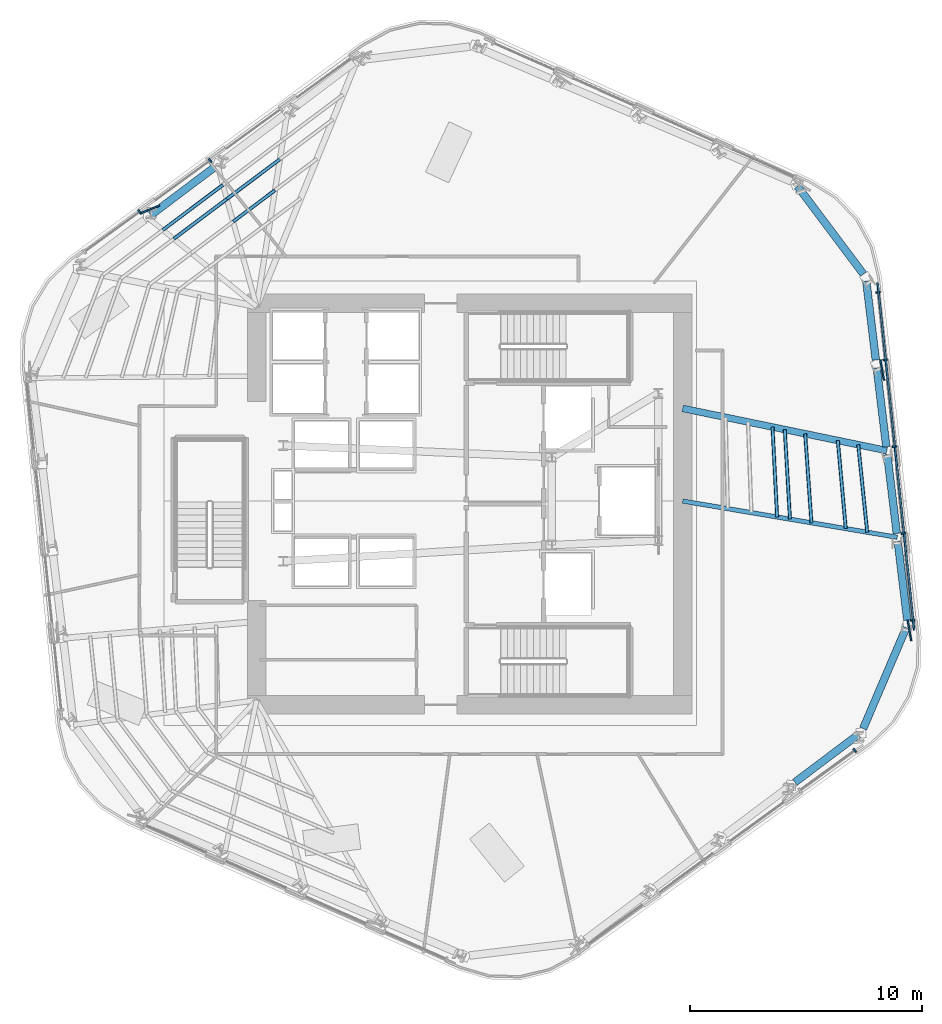
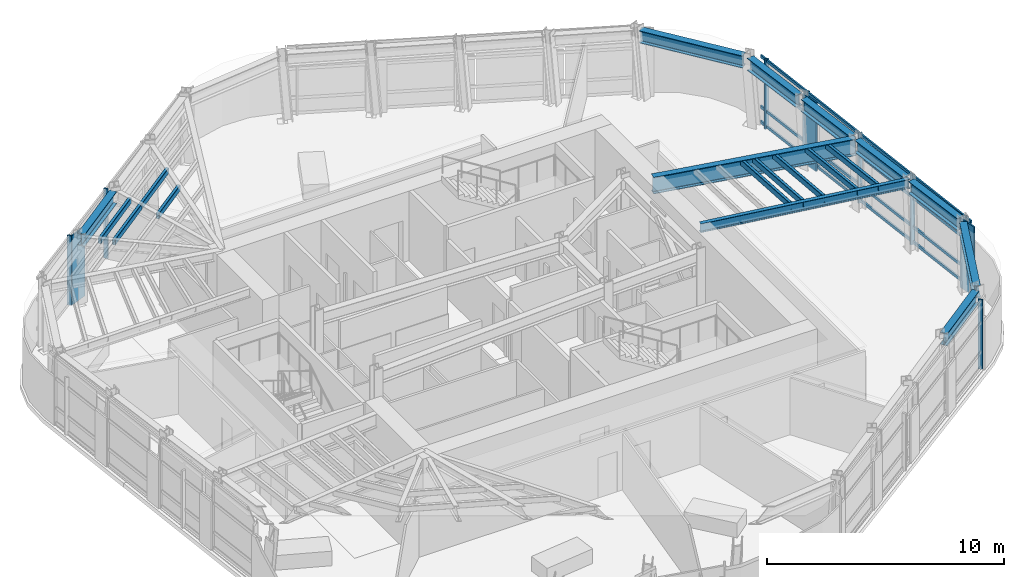
# One storey, part 5 of 14: 24 members, 10 beams, 3 elements without a shape of their own.
"""IFC4 building model written with IfcOpenShell, lengths in metres."""

from ifc_helpers import new_model, si_unit, direction, frame, origin, origin_2d, place, context, subcontext, project, spatial, rectangle, hollow_rectangle, i_section, extrude, material, layer, layer_set, material_profile, profile_set, type_object, element, aggregate, save


model = new_model("IFC4")

# Units and contexts
model_context = context("Model", 3, precision=1e-05, world=origin(), true_north=direction((0.0, 1.0)))
body_context = subcontext(model_context, "Body", "Model", "MODEL_VIEW")
ifc_project = project(units=[si_unit("LENGTHUNIT", "METRE"), si_unit("AREAUNIT", "SQUARE_METRE"), si_unit("VOLUMEUNIT", "CUBIC_METRE"), si_unit("PLANEANGLEUNIT", "RADIAN"), si_unit("MASSUNIT", "GRAM", prefix="KILO")], contexts=[model_context])

# Site, building, storey
site_placement = place(None, origin())
site = spatial("IfcSite", under=ifc_project, at=site_placement, CompositionType="ELEMENT")
building_placement = place(site_placement, origin())
building = spatial("IfcBuilding", under=site, at=building_placement, Name="Valkerne Bourse Tower", CompositionType="ELEMENT")
storey_placement = place(building_placement, frame((0.0, 0.0, 178.0)))
storey = spatial("IfcBuildingStorey", under=building, at=storey_placement, Name="L45", CompositionType="ELEMENT", Elevation=178.0)

# Beams
ifc_material_1 = material(Name="Steel ASTM A992", Category="steel")
ifc_material_profile_1 = material_profile(ifc_material_1, i_section(OverallWidth=0.1904296875, OverallDepth=0.457275390625, WebThickness=0.009033203125, FlangeThickness=0.014404296875, FilletRadius=0.01513671875, at=origin_2d()), Name="W18X50")
ifc_profile_set_1 = profile_set([ifc_material_profile_1], Name="Steel ASTM A992")
beam_type_1 = type_object("IfcBeamType", Name="BM-W18X50", PredefinedType="JOIST", material=ifc_profile_set_1)
beam_1_placement = place(storey_placement, frame((65.264892578125, 25.43603515625, 3.351318359375), z_axis=(-0.986049789724, 0.166450629871, 0.0), x_axis=(-0.166450629871, -0.986049789724, 0.0)))
element("IfcBeam", 1, at=beam_1_placement, inside=storey, type_object=beam_type_1, Name="L45 Radial Composite Floor Beam 26", PredefinedType="JOIST", context=body_context, shape_type="SweptSolid", body=[
    extrude(i_section(OverallWidth=0.1904296875, OverallDepth=0.457275390625, WebThickness=0.009033203125, FlangeThickness=0.014404296875, FilletRadius=0.01513671875, at=origin_2d()), origin(), (0.0, 0.0, 1.0), 9.39599609375),
])
ifc_material_profile_2 = material_profile(ifc_material_1, i_section(OverallWidth=0.32763671875, OverallDepth=0.62744140625, WebThickness=0.0166015625, FlangeThickness=0.027587890625, FilletRadius=0.020263671875, at=origin_2d()), Name="W24X146")
ifc_profile_set_2 = profile_set([ifc_material_profile_2], Name="Steel ASTM A992")
beam_type_2 = type_object("IfcBeamType", Name="BM-W24X146", PredefinedType="SPANDREL", material=ifc_profile_set_2)
beam_2_placement = place(storey_placement, frame((35.7705078125, 41.40673828125, 3.266357421875), z_axis=(-0.799701053501, -0.600398388597, 0.0), x_axis=(0.600398388597, -0.799701053501, 0.0)))
element("IfcBeam", 2, at=beam_2_placement, inside=storey, type_object=beam_type_2, Name="L45 Hexagonal Spandrel Ring Beam 07", PredefinedType="SPANDREL", context=body_context, shape_type="SweptSolid", body=[
    extrude(i_section(OverallWidth=0.32763671875, OverallDepth=0.62744140625, WebThickness=0.0166015625, FlangeThickness=0.027587890625, FilletRadius=0.020263671875, at=origin_2d()), origin(), (0.0, 0.0, 1.0), 3.43115234375),
])
beam_3_placement = place(storey_placement, frame((60.84521484375, 14.857421875, 3.266357421875), z_axis=(0.799675401804, 0.600432553873, 0.0), x_axis=(-0.600432553873, 0.799675401804, 0.0)))
element("IfcBeam", 3, at=beam_3_placement, inside=storey, type_object=beam_type_2, Name="L45 Hexagonal Spandrel Ring Beam 23", PredefinedType="SPANDREL", context=body_context, shape_type="SweptSolid", body=[
    extrude(i_section(OverallWidth=0.32763671875, OverallDepth=0.62744140625, WebThickness=0.0166015625, FlangeThickness=0.027587890625, FilletRadius=0.020263671875, at=origin_2d()), origin(), (0.0, 0.0, 1.0), 3.430908203125),
])
beam_4_placement = place(storey_placement, frame((63.79150390625, 17.17578125, 3.266357421875), z_axis=(0.392314934285, 0.919830958566, 0.0), x_axis=(-0.919830958566, 0.392314934285, 0.0)))
element("IfcBeam", 4, at=beam_4_placement, inside=storey, type_object=beam_type_2, Name="L45 Hexagonal Spandrel Ring Beam 24", PredefinedType="SPANDREL", context=body_context, shape_type="SweptSolid", body=[
    extrude(i_section(OverallWidth=0.32763671875, OverallDepth=0.62744140625, WebThickness=0.0166015625, FlangeThickness=0.027587890625, FilletRadius=0.020263671875, at=origin_2d()), origin(), (0.0, 0.0, 1.0), 4.740234375),
])
beam_5_placement = place(storey_placement, frame((65.697509765625, 21.861083984375, 3.266357421875), z_axis=(-0.120118849374, 0.992759518728, 0.0), x_axis=(-0.992759518728, -0.120118849374, 0.0)))
element("IfcBeam", 5, at=beam_5_placement, inside=storey, type_object=beam_type_2, Name="L45 Hexagonal Spandrel Ring Beam 25", PredefinedType="SPANDREL", context=body_context, shape_type="SweptSolid", body=[
    extrude(i_section(OverallWidth=0.32763671875, OverallDepth=0.62744140625, WebThickness=0.0166015625, FlangeThickness=0.027587890625, FilletRadius=0.020263671875, at=origin_2d()), origin(), (0.0, 0.0, 1.0), 3.430908203125),
])
for number, where, z_axis, x_axis, name in (
    (6, (65.244384765625, 25.604736328125, 3.266357421875), (-0.120110364146, 0.992760545361, 0.0), (-0.992760545361, -0.120110364146, 0.0), "L45 Hexagonal Spandrel Ring Beam 26"),
    (7, (64.79150390625, 29.348388671875, 3.266357421875), (-0.120180492152, 0.992752058324, 0.0), (-0.992752058324, -0.120180492152, 0.0), "L45 Hexagonal Spandrel Ring Beam 27"),
):
    element("IfcBeam", number, at=place(storey_placement, frame(where, z_axis=z_axis, x_axis=x_axis)), inside=storey, type_object=beam_type_2, Name=name, PredefinedType="SPANDREL", context=body_context, shape_type="SweptSolid", body=[
        extrude(i_section(OverallWidth=0.32763671875, OverallDepth=0.62744140625, WebThickness=0.0166015625, FlangeThickness=0.027587890625, FilletRadius=0.020263671875, at=origin_2d()), origin(), (0.0, 0.0, 1.0), 3.43115234375),
    ])
beam_6_placement = place(storey_placement, frame((64.33837890625, 33.09228515625, 3.266357421875), z_axis=(-0.120118849374, 0.992759518728, 0.0), x_axis=(-0.992759518728, -0.120118849374, 0.0)))
element("IfcBeam", 8, at=beam_6_placement, inside=storey, type_object=beam_type_2, Name="L45 Hexagonal Spandrel Ring Beam 28", PredefinedType="SPANDREL", context=body_context, shape_type="SweptSolid", body=[
    extrude(i_section(OverallWidth=0.32763671875, OverallDepth=0.62744140625, WebThickness=0.0166015625, FlangeThickness=0.027587890625, FilletRadius=0.020263671875, at=origin_2d()), origin(), (0.0, 0.0, 1.0), 3.430908203125),
])
beam_7_placement = place(storey_placement, frame((63.8037109375, 36.802978515625, 3.266357421875), z_axis=(-0.600411972894, 0.799690854521, 0.0), x_axis=(-0.799690854521, -0.600411972894, 0.0)))
element("IfcBeam", 9, at=beam_7_placement, inside=storey, type_object=beam_type_2, Name="L45 Hexagonal Spandrel Ring Beam 29", PredefinedType="SPANDREL", context=body_context, shape_type="SweptSolid", body=[
    extrude(i_section(OverallWidth=0.32763671875, OverallDepth=0.62744140625, WebThickness=0.0166015625, FlangeThickness=0.027587890625, FilletRadius=0.020263671875, at=origin_2d()), origin(), (0.0, 0.0, 1.0), 4.739990234375),
])
ifc_material_profile_3 = material_profile(ifc_material_1, i_section(OverallWidth=0.2919921875, OverallDepth=0.8583984375, WebThickness=0.01708984375, FlangeThickness=0.031005859375, FilletRadius=0.025390625, at=origin_2d()), Name="W33X169")
ifc_profile_set_3 = profile_set([ifc_material_profile_3], Name="Steel ASTM A992")
beam_type_3 = type_object("IfcBeamType", Name="BM-W33X169", PredefinedType="BEAM", material=ifc_profile_set_3)
beam_8_placement = place(storey_placement, frame((64.811767578125, 29.1796875, 3.15087890625), z_axis=(-0.979322374958, 0.202305921583, 0.0), x_axis=(-0.202305921583, -0.979322374958, 0.0)))
element("IfcBeam", 10, at=beam_8_placement, inside=storey, type_object=beam_type_3, Name="L45 Radial Composite Floor Beam 27", PredefinedType="BEAM", context=body_context, shape_type="SweptSolid", body=[
    extrude(i_section(OverallWidth=0.2919921875, OverallDepth=0.8583984375, WebThickness=0.01708984375, FlangeThickness=0.031005859375, FilletRadius=0.025390625, at=origin_2d()), origin(), (0.0, 0.0, 1.0), 8.997802734375),
])

# Curtain wall, members
ifc_material_2 = material(Name="Aluminium AA 6063-T6", Category="aluminium")
ifc_layer = layer(ifc_material_2, 0.235107421875)
ifc_layer_set = layer_set([ifc_layer], Name="Aluminium AA 6063-T6")
curtain_wall_type = type_object("IfcCurtainWallType", Name="CW-03", PredefinedType="NOTDEFINED", material=ifc_layer_set)
curtain_wall_1_placement = place(storey_placement, origin())
curtain_wall_1 = element("IfcCurtainWall", 11, at=curtain_wall_1_placement, inside=storey, type_object=curtain_wall_type, Name="L45 Hexagonal Stick Curtain Wall Face 2", PredefinedType="NOTDEFINED")
ifc_material_profile_4 = material_profile(ifc_material_2, rectangle(XDim=0.074951171875, YDim=0.199951171875, at=origin_2d()), Name="CWM-75X200")
ifc_profile_set_4 = profile_set([ifc_material_profile_4], Name="Aluminium AA 6063-T6")
member_type_1 = type_object("IfcMemberType", Name="CW-MUL-220X75", PredefinedType="MULLION", material=ifc_profile_set_4)
member_1_placement = place(storey_placement, frame((35.59619140625, 41.706298828125, 0.0), z_axis=(0.0, 0.0, 1.0), x_axis=(-0.809008916878, -0.587796369853, 0.0)))
member_1 = element("IfcMember", 12, at=member_1_placement, type_object=member_type_1, Name="CW-L45-F2 Jamb Mullion 02A", PredefinedType="MULLION", context=body_context, shape_type="SweptSolid", body=[
    extrude(rectangle(XDim=0.074951171875, YDim=0.199951171875, at=origin_2d()), origin(), (0.0, 0.0, 1.0), 3.580078125),
])
member_2_placement = place(storey_placement, frame((32.54541015625, 39.48974609375, 0.0), z_axis=(0.0, 0.0, 1.0), x_axis=(-0.809021527022, -0.587779013589, 0.0)))
member_2 = element("IfcMember", 13, at=member_2_placement, type_object=member_type_1, Name="CW-L45-F2 Jamb Mullion 03A", PredefinedType="MULLION", context=body_context, shape_type="SweptSolid", body=[
    extrude(rectangle(XDim=0.074951171875, YDim=0.199951171875, at=origin_2d()), origin(), (0.0, 0.0, 1.0), 3.580078125),
])
aggregate(curtain_wall_1, [member_1, member_2])

# Curtain wall, member
curtain_wall_2_placement = place(storey_placement, origin())
curtain_wall_2 = element("IfcCurtainWall", 14, at=curtain_wall_2_placement, inside=storey, type_object=curtain_wall_type, Name="L45 Hexagonal Stick Curtain Wall Face 5", PredefinedType="NOTDEFINED")
member_3_placement = place(storey_placement, frame((63.426025390625, 16.23291015625, 0.0), z_axis=(0.0, 0.0, 1.0), x_axis=(0.809021527022, 0.587779013589, 0.0)))
member_3 = element("IfcMember", 15, at=member_3_placement, type_object=member_type_1, Name="CW-L45-F5 Jamb Mullion 03B", PredefinedType="MULLION", context=body_context, shape_type="SweptSolid", body=[
    extrude(rectangle(XDim=0.074951171875, YDim=0.199951171875, at=origin_2d()), origin(), (0.0, 0.0, 1.0), 3.580078125),
])
aggregate(curtain_wall_2, [member_3])

# Curtain wall, members
curtain_wall_3_placement = place(storey_placement, origin())
curtain_wall_3 = element("IfcCurtainWall", 16, at=curtain_wall_3_placement, inside=storey, type_object=curtain_wall_type, Name="L45 Hexagonal Stick Curtain Wall Face 6", PredefinedType="NOTDEFINED")
member_4_placement = place(storey_placement, frame((65.926513671875, 21.84912109375, 0.0), z_axis=(0.0, 0.0, 1.0), x_axis=(-0.104535698832, 0.994521134853, 0.0)))
member_4 = element("IfcMember", 17, at=member_4_placement, type_object=member_type_1, Name="CW-L45-F6 Jamb Mullion 00A", PredefinedType="MULLION", context=body_context, shape_type="SweptSolid", body=[
    extrude(rectangle(XDim=0.074951171875, YDim=0.199951171875, at=origin_2d()), origin(), (0.0, 0.0, 1.0), 3.580078125),
])
member_5_placement = place(storey_placement, frame((65.5322265625, 25.599365234375, 0.0), z_axis=(0.0, 0.0, 1.0), x_axis=(-0.104532941982, 0.994521424626, 0.0)))
member_5 = element("IfcMember", 18, at=member_5_placement, type_object=member_type_1, Name="CW-L45-F6 Jamb Mullion 01A", PredefinedType="MULLION", context=body_context, shape_type="SweptSolid", body=[
    extrude(rectangle(XDim=0.074951171875, YDim=0.199951171875, at=origin_2d()), origin(), (0.0, 0.0, 1.0), 3.580078125),
])
member_6_placement = place(storey_placement, frame((65.137939453125, 29.349609375, 0.0), z_axis=(0.0, 0.0, 1.0), x_axis=(-0.104509470074, 0.99452389145, 0.0)))
member_6 = element("IfcMember", 19, at=member_6_placement, type_object=member_type_1, Name="CW-L45-F6 Jamb Mullion 02A", PredefinedType="MULLION", context=body_context, shape_type="SweptSolid", body=[
    extrude(rectangle(XDim=0.074951171875, YDim=0.199951171875, at=origin_2d()), origin(), (0.0, 0.0, 1.0), 3.580078125),
])
member_7_placement = place(storey_placement, frame((64.743896484375, 33.10009765625, 0.0), z_axis=(0.0, 0.0, 1.0), x_axis=(-0.104532941982, 0.994521424626, 0.0)))
member_7 = element("IfcMember", 20, at=member_7_placement, type_object=member_type_1, Name="CW-L45-F6 Jamb Mullion 03A", PredefinedType="MULLION", context=body_context, shape_type="SweptSolid", body=[
    extrude(rectangle(XDim=0.074951171875, YDim=0.199951171875, at=origin_2d()), origin(), (0.0, 0.0, 1.0), 3.580078125),
])
member_8_placement = place(storey_placement, frame((64.4375, 36.014892578125, 0.0), z_axis=(0.0, 0.0, 1.0), x_axis=(-0.104532941982, 0.994521424626, 0.0)))
member_8 = element("IfcMember", 21, at=member_8_placement, type_object=member_type_1, Name="CW-L45-F6 Jamb Mullion 03B", PredefinedType="MULLION", context=body_context, shape_type="SweptSolid", body=[
    extrude(rectangle(XDim=0.074951171875, YDim=0.199951171875, at=origin_2d()), origin(), (0.0, 0.0, 1.0), 3.580078125),
])
ifc_material_profile_5 = material_profile(ifc_material_2, rectangle(XDim=0.074951171875, YDim=0.14990234375, at=origin_2d()), Name="CWT-75X150")
ifc_profile_set_5 = profile_set([ifc_material_profile_5], Name="Aluminium AA 6063-T6")
member_type_2 = type_object("IfcMemberType", Name="CW-TRN-180X65", PredefinedType="USERDEFINED", material=ifc_profile_set_5)
member_9_placement = place(storey_placement, frame((65.990234375, 21.433349609375, 0.1201171875), z_axis=(-0.104524703838, 0.994522290493, 0.0), x_axis=(-0.994522290493, -0.104524703838, 0.0)))
member_9 = element("IfcMember", 22, at=member_9_placement, type_object=member_type_2, Name="CW-L45-F6 Continuous Face Transom 1", ObjectType="TRANSOM", PredefinedType="USERDEFINED", context=body_context, shape_type="SweptSolid", body=[
    extrude(rectangle(XDim=0.074951171875, YDim=0.14990234375, at=origin_2d()), origin(), (0.0, 0.0, 1.0), 15.083984375),
])
member_10_placement = place(storey_placement, frame((65.990234375, 21.433349609375, 0.89990234375), z_axis=(-0.104524703838, 0.994522290493, 0.0), x_axis=(-0.994522290493, -0.104524703838, 0.0)))
member_10 = element("IfcMember", 23, at=member_10_placement, type_object=member_type_2, Name="CW-L45-F6 Continuous Face Transom 2", ObjectType="TRANSOM", PredefinedType="USERDEFINED", context=body_context, shape_type="SweptSolid", body=[
    extrude(rectangle(XDim=0.074951171875, YDim=0.14990234375, at=origin_2d()), origin(), (0.0, 0.0, 1.0), 15.083984375),
])
member_11_placement = place(storey_placement, frame((65.990234375, 21.433349609375, 2.39990234375), z_axis=(-0.104524703838, 0.994522290493, 0.0), x_axis=(-0.994522290493, -0.104524703838, 0.0)))
member_11 = element("IfcMember", 24, at=member_11_placement, type_object=member_type_2, Name="CW-L45-F6 Continuous Face Transom 3", ObjectType="TRANSOM", PredefinedType="USERDEFINED", context=body_context, shape_type="SweptSolid", body=[
    extrude(rectangle(XDim=0.074951171875, YDim=0.14990234375, at=origin_2d()), origin(), (0.0, 0.0, 1.0), 15.083984375),
])
member_12_placement = place(storey_placement, frame((65.990234375, 21.433349609375, 3.5), z_axis=(-0.104524703838, 0.994522290493, 0.0), x_axis=(-0.994522290493, -0.104524703838, 0.0)))
member_12 = element("IfcMember", 25, at=member_12_placement, type_object=member_type_2, Name="CW-L45-F6 Continuous Face Transom 4", ObjectType="TRANSOM", PredefinedType="USERDEFINED", context=body_context, shape_type="SweptSolid", body=[
    extrude(rectangle(XDim=0.074951171875, YDim=0.14990234375, at=origin_2d()), origin(), (0.0, 0.0, 1.0), 15.083984375),
])
aggregate(curtain_wall_3, [member_9, member_10, member_11, member_12, member_4, member_5, member_6, member_7, member_8])

# Members
ifc_material_3 = material(Name="Bronze Anodised Aluminium AA 6063-T6", Category="aluminium")
ifc_material_profile_6 = material_profile(ifc_material_3, rectangle(XDim=0.070068359375, YDim=0.89990234375, at=origin_2d()), Name="FIN-70X900")
ifc_profile_set_6 = profile_set([ifc_material_profile_6], Name="Bronze Anodised Aluminium AA 6063-T6")
member_type_3 = type_object("IfcMemberType", Name="FIN-SOLAR-900", PredefinedType="USERDEFINED", material=ifc_profile_set_6)
for number, where, z_axis, x_axis, name in (
    (26, (32.990966796875, 39.591064453125, 0.00390625), (0.0, 0.0, 1.0), (-0.380850169882, 0.924636765493, 0.0), "L45 Bronze Anodised Solar Fin F2-03"),
    (27, (65.791259765625, 21.41259765625, 0.00390625), (0.0, 0.0, 1.0), (0.984878789534, 0.173244826548, 0.0), "L45 Bronze Anodised Solar Fin F6-00"),
    (28, (64.60888671875, 32.66357421875, 0.00390625), (0.0, 0.0, 1.0), (0.984879157264, 0.173242736027, 0.0), "L45 Bronze Anodised Solar Fin F6-03"),
):
    element("IfcMember", number, at=place(storey_placement, frame(where, z_axis=z_axis, x_axis=x_axis)), inside=storey, type_object=member_type_3, Name=name, ObjectType="SOLAR_FIN", PredefinedType="USERDEFINED", context=body_context, shape_type="SweptSolid", body=[
        extrude(rectangle(XDim=0.070068359375, YDim=0.89990234375, at=origin_2d()), origin(), (0.0, 0.0, 1.0), 3.572021484375),
    ])
ifc_material_4 = material(Name="Steel ASTM A500 Grade C", Category="steel")
ifc_material_profile_7 = material_profile(ifc_material_4, hollow_rectangle(XDim=0.14990234375, YDim=0.300048828125, WallThickness=0.012451171875, OuterFilletRadius=0.02490234375, at=origin_2d()), Name="HSS300X150X12.5")
ifc_profile_set_7 = profile_set([ifc_material_profile_7], Name="Steel ASTM A500 Grade C")
member_type_4 = type_object("IfcMemberType", Name="MBR-HSS300X150X12.5", PredefinedType="PURLIN", material=ifc_profile_set_7)
member_13_placement = place(storey_placement, frame((60.07666015625, 26.311767578125, 3.419921875), z_axis=(-0.051242019614, 0.998686264763, 0.0), x_axis=(-0.998686264763, -0.051242019614, 0.0)))
element("IfcMember", 29, at=member_13_placement, inside=storey, type_object=member_type_4, Name="L45 Secondary Composite Floor Purlin K-26", PredefinedType="PURLIN", context=body_context, shape_type="SweptSolid", body=[
    extrude(hollow_rectangle(XDim=0.14990234375, YDim=0.300048828125, WallThickness=0.012451171875, OuterFilletRadius=0.02490234375, at=origin_2d()), origin(), (0.0, 0.0, 1.0), 3.892578125),
])
member_14_placement = place(storey_placement, frame((60.63232421875, 26.218017578125, 3.419921875), z_axis=(-0.058353011062, 0.998296011261, 0.0), x_axis=(-0.998296011261, -0.058353011062, 0.0)))
element("IfcMember", 30, at=member_14_placement, inside=storey, type_object=member_type_4, Name="L45 Secondary Composite Floor Purlin M-26", PredefinedType="PURLIN", context=body_context, shape_type="SweptSolid", body=[
    extrude(hollow_rectangle(XDim=0.14990234375, YDim=0.300048828125, WallThickness=0.012451171875, OuterFilletRadius=0.02490234375, at=origin_2d()), origin(), (0.0, 0.0, 1.0), 3.87841796875),
])
member_15_placement = place(storey_placement, frame((38.604736328125, 41.763427734375, 3.419921875), z_axis=(-0.799682979847, -0.600422461059, 0.0), x_axis=(0.600422461059, -0.799682979847, 0.0)))
element("IfcMember", 31, at=member_15_placement, inside=storey, type_object=member_type_4, Name="L45 Secondary Composite Floor Purlin O-06", PredefinedType="PURLIN", context=body_context, shape_type="SweptSolid", body=[
    extrude(hollow_rectangle(XDim=0.14990234375, YDim=0.300048828125, WallThickness=0.012451171875, OuterFilletRadius=0.02490234375, at=origin_2d()), origin(), (0.0, 0.0, 1.0), 2.86572265625),
])
member_16_placement = place(storey_placement, frame((36.31298828125, 40.042724609375, 3.419921875), z_axis=(-0.799713688482, -0.600381559056, 0.0), x_axis=(0.600381559056, -0.799713688482, 0.0)))
element("IfcMember", 32, at=member_16_placement, inside=storey, type_object=member_type_4, Name="L45 Secondary Composite Floor Purlin O-07", PredefinedType="PURLIN", context=body_context, shape_type="SweptSolid", body=[
    extrude(hollow_rectangle(XDim=0.14990234375, YDim=0.300048828125, WallThickness=0.012451171875, OuterFilletRadius=0.02490234375, at=origin_2d()), origin(), (0.0, 0.0, 1.0), 2.865966796875),
])
member_17_placement = place(storey_placement, frame((63.041259765625, 25.811279296875, 3.419921875), z_axis=(-0.090092137246, 0.995933434928, 0.0), x_axis=(-0.995933434928, -0.090092137246, 0.0)))
element("IfcMember", 33, at=member_17_placement, inside=storey, type_object=member_type_4, Name="L45 Secondary Composite Floor Purlin O-26", PredefinedType="PURLIN", context=body_context, shape_type="SweptSolid", body=[
    extrude(hollow_rectangle(XDim=0.14990234375, YDim=0.300048828125, WallThickness=0.012451171875, OuterFilletRadius=0.02490234375, at=origin_2d()), origin(), (0.0, 0.0, 1.0), 3.821044921875),
])
member_18_placement = place(storey_placement, frame((38.393310546875, 40.423828125, 3.419921875), z_axis=(-0.799689166224, -0.600414221537, 0.0), x_axis=(0.600414221537, -0.799689166224, 0.0)))
element("IfcMember", 34, at=member_18_placement, inside=storey, type_object=member_type_4, Name="L45 Secondary Composite Floor Purlin Z-06", PredefinedType="PURLIN", context=body_context, shape_type="SweptSolid", body=[
    extrude(hollow_rectangle(XDim=0.14990234375, YDim=0.300048828125, WallThickness=0.012451171875, OuterFilletRadius=0.02490234375, at=origin_2d()), origin(), (0.0, 0.0, 1.0), 2.262939453125),
])
member_19_placement = place(storey_placement, frame((61.558837890625, 26.0615234375, 3.419921875), z_axis=(-0.070473068966, 0.997513682388, 0.0), x_axis=(-0.997513682388, -0.070473068966, 0.0)))
element("IfcMember", 35, at=member_19_placement, inside=storey, type_object=member_type_4, Name="L45 Secondary Composite Floor Purlin Z-26", PredefinedType="PURLIN", context=body_context, shape_type="SweptSolid", body=[
    extrude(hollow_rectangle(XDim=0.14990234375, YDim=0.300048828125, WallThickness=0.012451171875, OuterFilletRadius=0.02490234375, at=origin_2d()), origin(), (0.0, 0.0, 1.0), 3.855712890625),
])
member_20_placement = place(storey_placement, frame((36.1435546875, 40.65380859375, 3.419921875), z_axis=(-0.799647574553, -0.600469613312, 0.0), x_axis=(0.600469613312, -0.799647574553, 0.0)))
element("IfcMember", 36, at=member_20_placement, inside=storey, type_object=member_type_4, Name="L45 Secondary Composite Floor Purlin T-07", PredefinedType="PURLIN", context=body_context, shape_type="SweptSolid", body=[
    extrude(hollow_rectangle(XDim=0.14990234375, YDim=0.300048828125, WallThickness=0.012451171875, OuterFilletRadius=0.02490234375, at=origin_2d()), origin(), (0.0, 0.0, 1.0), 3.243408203125),
])
member_21_placement = place(storey_placement, frame((63.9677734375, 25.655029296875, 3.419921875), z_axis=(-0.102550581645, 0.994727791008, 0.0), x_axis=(-0.994727791008, -0.102550581645, 0.0)))
element("IfcMember", 37, at=member_21_placement, inside=storey, type_object=member_type_4, Name="L45 Secondary Composite Floor Purlin T-26", PredefinedType="PURLIN", context=body_context, shape_type="SweptSolid", body=[
    extrude(hollow_rectangle(XDim=0.14990234375, YDim=0.300048828125, WallThickness=0.012451171875, OuterFilletRadius=0.02490234375, at=origin_2d()), origin(), (0.0, 0.0, 1.0), 3.799560546875),
])

save(model, "model.ifc")
